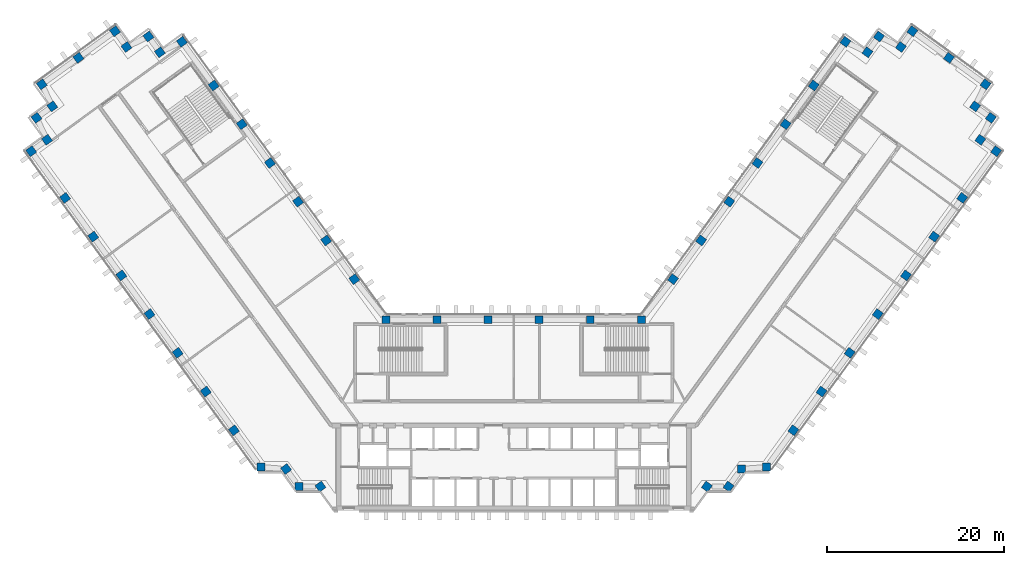
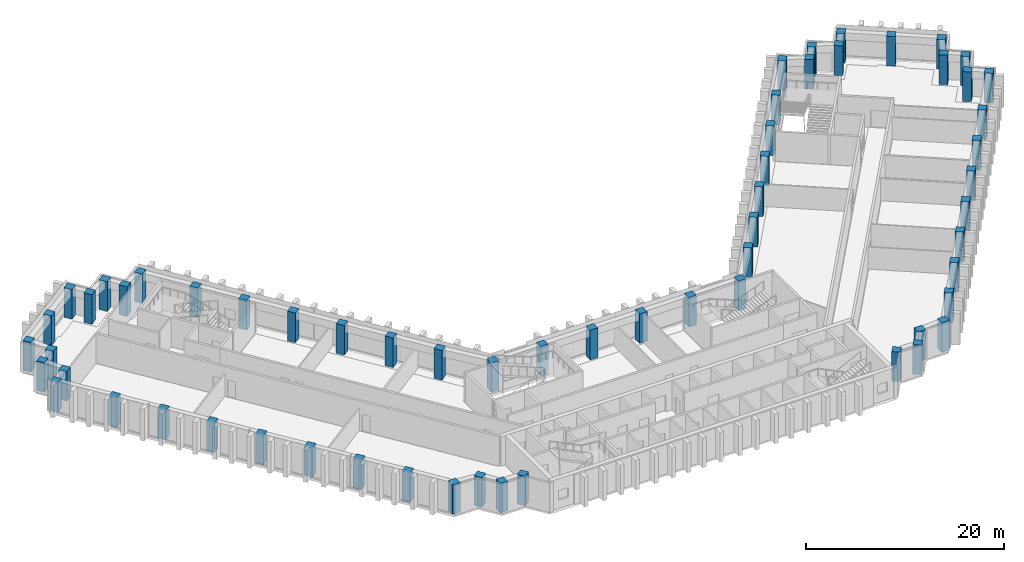
# One storey, part 1 of 15: 62 columns.
"""IFC4 building model written with IfcOpenShell, lengths in metres."""

from ifc_helpers import new_model, si_unit, direction, frame, origin, origin_2d, place, context, subcontext, project, spatial, rectangle, extrude, material, material_profile, profile_set, type_object, element, save


model = new_model("IFC4")

# Units and contexts
model_context = context("Model", 3, precision=1e-05, world=origin(), true_north=direction((0.0, 1.0)))
body_context = subcontext(model_context, "Body", "Model", "MODEL_VIEW")
ifc_project = project(units=[si_unit("LENGTHUNIT", "METRE"), si_unit("AREAUNIT", "SQUARE_METRE"), si_unit("VOLUMEUNIT", "CUBIC_METRE"), si_unit("PLANEANGLEUNIT", "RADIAN"), si_unit("MASSUNIT", "GRAM", prefix="KILO")], contexts=[model_context])

# Site, building, storey
site_placement = place(None, origin())
site = spatial("IfcSite", under=ifc_project, at=site_placement, CompositionType="ELEMENT")
building_placement = place(site_placement, origin())
building = spatial("IfcBuilding", under=site, at=building_placement, Name="Quipu Civic Tower", CompositionType="ELEMENT")
storey_placement = place(building_placement, frame((0.0, 0.0, 31.0)))
storey = spatial("IfcBuildingStorey", under=building, at=storey_placement, Name="L06", CompositionType="ELEMENT", Elevation=31.0)

# Columns
ifc_material = material(Name="Concrete C70/85", Category="concrete")
ifc_material_profile = material_profile(ifc_material, rectangle(XDim=0.89990234375, YDim=0.89990234375, at=origin_2d()), Name="RC900x900")
ifc_profile_set = profile_set([ifc_material_profile], Name="Concrete C70/85")
column_type = type_object("IfcColumnType", Name="Perimeter column RC 900x900 C70/85", PredefinedType="COLUMN", material=ifc_profile_set)
for number, where, z_axis, x_axis, name in (
    (1, (-17.9736328125, 15.074951171875, 0.0), (0.0, 0.0, 1.0), (-0.587785252292, 0.809016994375, 0.0), "Column L06 W-IN-01"),
    (2, (-21.1474609375, 19.44384765625, 0.0), (0.0, 0.0, 1.0), (-0.587785252292, 0.809016994375, 0.0), "Column L06 W-IN-02"),
    (3, (-24.3212890625, 23.8125, 0.0), (0.0, 0.0, 1.0), (-0.587785252292, 0.809016994375, 0.0), "Column L06 W-IN-03"),
    (4, (-27.4951171875, 28.181396484375, 0.0), (0.0, 0.0, 1.0), (-0.587785252292, 0.809016994375, 0.0), "Column L06 W-IN-04"),
    (5, (-30.6689453125, 32.55029296875, 0.0), (0.0, 0.0, 1.0), (-0.587785252292, 0.809016994375, 0.0), "Column L06 W-IN-05"),
    (6, (-33.843017578125, 36.919189453125, 0.0), (0.0, 0.0, 1.0), (-0.587785252292, 0.809016994375, 0.0), "Column L06 W-IN-06"),
    (7, (-37.425048828125, 41.85009765625, 0.0), (0.0, 0.0, 1.0), (-0.587785252292, 0.809016994375, 0.0), "Column L06 T-Wi.0-W50"),
    (8, (-39.905517578125, 40.666015625, 0.0), (0.0, 0.0, 1.0), (-0.587785252292, 0.809016994375, 0.0), "Column L06 T-Wi.1-W50"),
    (9, (-41.199951171875, 42.445068359375, 0.0), (0.0, 0.0, 1.0), (-0.587785252292, 0.809016994375, 0.0), "Column L06 T-Wi.2-W50"),
    (10, (-43.674560546875, 41.264892578125, 0.0), (0.0, 0.0, 1.0), (-0.809016994375, -0.587785252292, 0.0), "Column L06 T-Wi.3-W50"),
    (11, (-44.969970703125, 43.044921875, 0.0), (0.0, 0.0, 1.0), (-0.809016994375, -0.587785252292, 0.0), "Column L06 T-Wi.4-W50"),
    (12, (-49.095703125, 40.046875, 0.0), (0.0, 0.0, 1.0), (-0.809016994375, -0.587785252292, 0.0), "Column L06 TIP-W-01-W50"),
    (13, (-53.219970703125, 37.050048828125, 0.0), (0.0, 0.0, 1.0), (0.587785252292, -0.809016994375, 0.0), "Column L06 T-Wo.0-W50"),
    (14, (-52.038818359375, 34.571044921875, 0.0), (0.0, 0.0, 1.0), (-0.809016994375, -0.587785252292, 0.0), "Column L06 T-Wo.1-W50"),
    (15, (-53.820068359375, 33.27490234375, 0.0), (0.0, 0.0, 1.0), (0.587785252292, -0.809016994375, 0.0), "Column L06 T-Wo.2-W50"),
    (16, (-52.635986328125, 30.799560546875, 0.0), (0.0, 0.0, 1.0), (-0.809016994375, -0.587785252292, 0.0), "Column L06 T-Wo.3-W50"),
    (17, (-54.4150390625, 29.5048828125, 0.0), (0.0, 0.0, 1.0), (0.587785252292, -0.809016994375, 0.0), "Column L06 T-Wo.4-W50"),
    (18, (-50.59228515625, 24.243408203125, 0.0), (0.0, 0.0, 1.0), (0.587785252292, -0.809016994375, 0.0), "Column L06 W-OUT-07"),
    (19, (-47.41845703125, 19.874755859375, 0.0), (0.0, 0.0, 1.0), (0.587785252292, -0.809016994375, 0.0), "Column L06 W-OUT-06"),
    (20, (-44.244384765625, 15.506103515625, 0.0), (0.0, 0.0, 1.0), (0.587785252292, -0.809016994375, 0.0), "Column L06 W-OUT-05"),
    (21, (-41.0703125, 11.137451171875, 0.0), (0.0, 0.0, 1.0), (0.587785252292, -0.809016994375, 0.0), "Column L06 W-OUT-04"),
    (22, (-37.896240234375, 6.768798828125, 0.0), (0.0, 0.0, 1.0), (0.587785252292, -0.809016994375, 0.0), "Column L06 W-OUT-03"),
    (23, (-34.722412109375, 2.39990234375, 0.0), (0.0, 0.0, 1.0), (0.587785252292, -0.809016994375, 0.0), "Column L06 W-OUT-02"),
    (24, (-31.54833984375, -1.96875, 0.0), (0.0, 0.0, 1.0), (0.587785252292, -0.809016994375, 0.0), "Column L06 W-OUT-01"),
    (25, (-28.52490234375, -6.1298828125, 0.0), (0.0, 0.0, 1.0), (1.0, 0.0, 0.0), "Column L06 J-Wo.0"),
    (26, (-25.67431640625, -6.3369140625, 0.0), (0.0, 0.0, 1.0), (0.587785252292, -0.809016994375, 0.0), "Column L06 J-Wo.1"),
    (27, (-24.235107421875, -8.31494140625, 0.0), (0.0, 0.0, 1.0), (1.0, 0.0, 0.0), "Column L06 J-Wo.2"),
    (28, (-21.791748046875, -8.31494140625, 0.0), (0.0, 0.0, 1.0), (0.587785252292, -0.809016994375, 0.0), "Column L06 J-Wo.3"),
    (29, (21.791748046875, -8.31494140625, 0.0), (0.0, 0.0, 1.0), (0.587785252292, 0.809016994375, 0.0), "Column L06 J-Eo.1"),
    (30, (24.235107421875, -8.31494140625, 0.0), (0.0, 0.0, 1.0), (0.587785252292, 0.809016994375, 0.0), "Column L06 J-Eo.2"),
    (31, (25.67431640625, -6.3369140625, 0.0), (0.0, 0.0, 1.0), (1.0, 0.0, 0.0), "Column L06 J-Eo.3"),
    (32, (28.52490234375, -6.1298828125, 0.0), (0.0, 0.0, 1.0), (1.0, 0.0, 0.0), "Column L06 J-Eo.4"),
    (33, (31.54833984375, -1.96875, 0.0), (0.0, 0.0, 1.0), (0.587785252292, 0.809016994375, 0.0), "Column L06 E-OUT-01"),
    (34, (34.722412109375, 2.39990234375, 0.0), (0.0, 0.0, 1.0), (0.587785252292, 0.809016994375, 0.0), "Column L06 E-OUT-02"),
    (35, (37.896240234375, 6.768798828125, 0.0), (0.0, 0.0, 1.0), (0.587785252292, 0.809016994375, 0.0), "Column L06 E-OUT-03"),
    (36, (41.0703125, 11.137451171875, 0.0), (0.0, 0.0, 1.0), (0.587785252292, 0.809016994375, 0.0), "Column L06 E-OUT-04"),
    (37, (44.244384765625, 15.506103515625, 0.0), (0.0, 0.0, 1.0), (0.587785252292, 0.809016994375, 0.0), "Column L06 E-OUT-05"),
    (38, (47.41845703125, 19.874755859375, 0.0), (0.0, 0.0, 1.0), (0.587785252292, 0.809016994375, 0.0), "Column L06 E-OUT-06"),
    (39, (50.59228515625, 24.243408203125, 0.0), (0.0, 0.0, 1.0), (0.587785252292, 0.809016994375, 0.0), "Column L06 E-OUT-07"),
    (40, (54.4150390625, 29.5048828125, 0.0), (0.0, 0.0, 1.0), (0.587785252292, 0.809016994375, 0.0), "Column L06 T-Eo.0-E50"),
    (41, (52.635986328125, 30.799560546875, 0.0), (0.0, 0.0, 1.0), (-0.809016994375, 0.587785252292, 0.0), "Column L06 T-Eo.1-E50"),
    (42, (53.820068359375, 33.27490234375, 0.0), (0.0, 0.0, 1.0), (-0.809016994375, 0.587785252292, 0.0), "Column L06 T-Eo.2-E50"),
    (43, (52.038818359375, 34.571044921875, 0.0), (0.0, 0.0, 1.0), (0.587785252292, 0.809016994375, 0.0), "Column L06 T-Eo.3-E50"),
    (44, (53.219970703125, 37.050048828125, 0.0), (0.0, 0.0, 1.0), (-0.809016994375, 0.587785252292, 0.0), "Column L06 T-Eo.4-E50"),
    (45, (49.095703125, 40.046875, 0.0), (0.0, 0.0, 1.0), (-0.809016994375, 0.587785252292, 0.0), "Column L06 TIP-E-01-E50"),
    (46, (44.969970703125, 43.044921875, 0.0), (0.0, 0.0, 1.0), (-0.809016994375, 0.587785252292, 0.0), "Column L06 T-Ei.0-E50"),
    (47, (43.674560546875, 41.264892578125, 0.0), (0.0, 0.0, 1.0), (-0.809016994375, 0.587785252292, 0.0), "Column L06 T-Ei.1-E50"),
    (48, (41.199951171875, 42.445068359375, 0.0), (0.0, 0.0, 1.0), (-0.587785252292, -0.809016994375, 0.0), "Column L06 T-Ei.2-E50"),
    (49, (39.905517578125, 40.666015625, 0.0), (0.0, 0.0, 1.0), (-0.587785252292, -0.809016994375, 0.0), "Column L06 T-Ei.3-E50"),
    (50, (37.425048828125, 41.85009765625, 0.0), (0.0, 0.0, 1.0), (-0.587785252292, -0.809016994375, 0.0), "Column L06 T-Ei.4-E50"),
    (51, (33.843017578125, 36.919189453125, 0.0), (0.0, 0.0, 1.0), (-0.587785252292, -0.809016994375, 0.0), "Column L06 E-IN-06"),
    (52, (30.6689453125, 32.55029296875, 0.0), (0.0, 0.0, 1.0), (-0.587785252292, -0.809016994375, 0.0), "Column L06 E-IN-05"),
    (53, (27.4951171875, 28.181396484375, 0.0), (0.0, 0.0, 1.0), (-0.587785252292, -0.809016994375, 0.0), "Column L06 E-IN-04"),
    (54, (24.3212890625, 23.8125, 0.0), (0.0, 0.0, 1.0), (-0.587785252292, -0.809016994375, 0.0), "Column L06 E-IN-03"),
    (55, (21.1474609375, 19.44384765625, 0.0), (0.0, 0.0, 1.0), (-0.587785252292, -0.809016994375, 0.0), "Column L06 E-IN-02"),
    (56, (17.9736328125, 15.074951171875, 0.0), (0.0, 0.0, 1.0), (-0.587785252292, -0.809016994375, 0.0), "Column L06 E-IN-01"),
    (57, (14.395263671875, 10.5, 0.0), (0.0, 0.0, 1.0), (-1.0, 0.0, 0.0), "Column L06 J-Ei.0"),
    (58, (8.63720703125, 10.5, 0.0), (0.0, 0.0, 1.0), (-1.0, 0.0, 0.0), "Column L06 FRONT-01"),
    (59, (2.87890625, 10.5, 0.0), (0.0, 0.0, 1.0), (-1.0, 0.0, 0.0), "Column L06 FRONT-02"),
    (60, (-2.87890625, 10.5, 0.0), (0.0, 0.0, 1.0), (-1.0, 0.0, 0.0), "Column L06 FRONT-03"),
    (61, (-8.63720703125, 10.5, 0.0), (0.0, 0.0, 1.0), (-1.0, 0.0, 0.0), "Column L06 FRONT-04"),
    (62, (-14.395263671875, 10.5, 0.0), (0.0, 0.0, 1.0), (-1.0, 0.0, 0.0), "Column L06 J-Wi.0"),
):
    element("IfcColumn", number, at=place(storey_placement, frame(where, z_axis=z_axis, x_axis=x_axis)), inside=storey, type_object=column_type, Name=name, PredefinedType="COLUMN", context=body_context, shape_type="SweptSolid", body=[
        extrude(rectangle(XDim=0.89990234375, YDim=0.89990234375, at=origin_2d()), origin(), (0.0, 0.0, 1.0), 3.64990234375),
    ])

save(model, "model.ifc")
